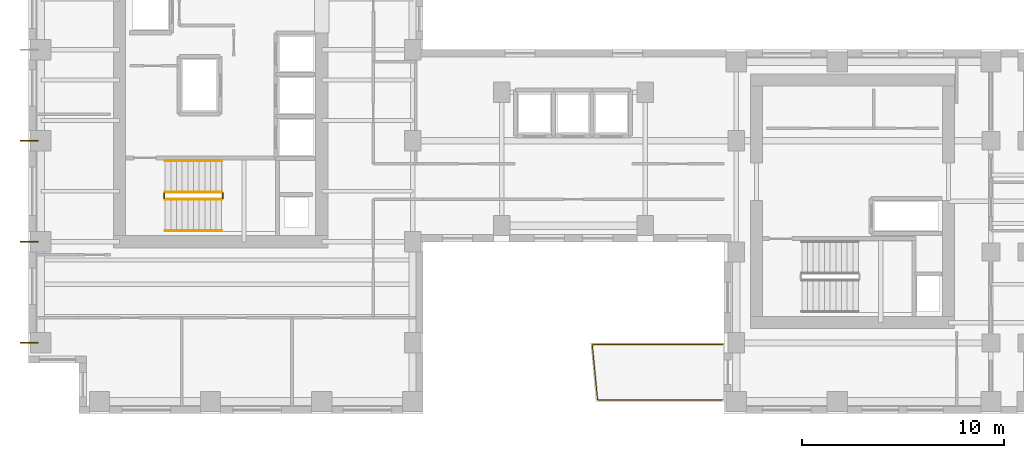
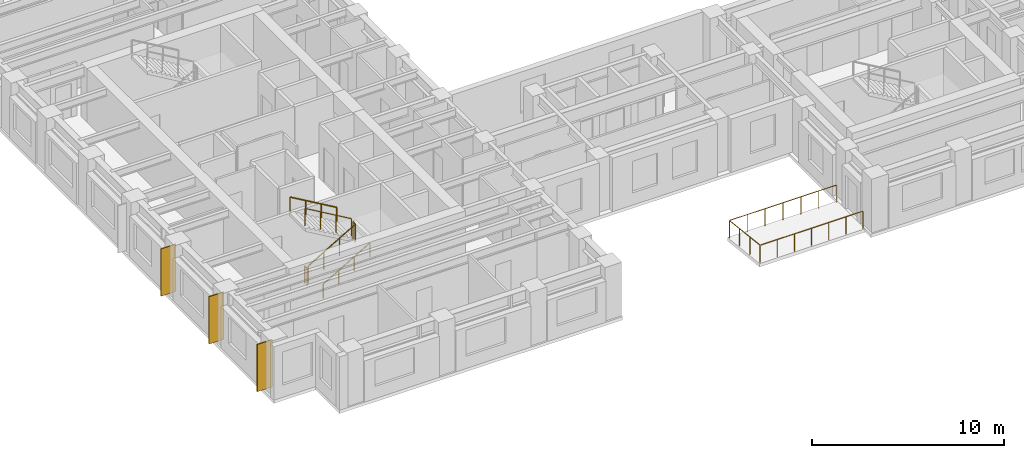
# One storey, part 10 of 12: 7 railings, 3 coverings.
"""IFC4 building model written with IfcOpenShell, lengths in metres."""

from ifc_helpers import new_model, si_unit, direction, frame, origin, origin_2d, place, context, subcontext, project, spatial, rectangle, circle, extrude, source, transform, mapped, material, layer, layer_set, type_object, element, save


model = new_model("IFC4")

# Units and contexts
model_context = context("Model", 3, precision=1e-05, world=origin(), true_north=direction((0.0, 1.0)))
body_context = subcontext(model_context, "Body", "Model", "MODEL_VIEW")
ifc_project = project(units=[si_unit("LENGTHUNIT", "METRE"), si_unit("AREAUNIT", "SQUARE_METRE"), si_unit("VOLUMEUNIT", "CUBIC_METRE"), si_unit("PLANEANGLEUNIT", "RADIAN"), si_unit("MASSUNIT", "GRAM", prefix="KILO")], contexts=[model_context])

# Site, building, storey
site_placement = place(None, origin())
site = spatial("IfcSite", under=ifc_project, at=site_placement, CompositionType="ELEMENT")
building_placement = place(site_placement, origin())
building = spatial("IfcBuilding", under=site, at=building_placement, Name="Kharzan Plaza Tower", CompositionType="ELEMENT")
storey_placement = place(building_placement, frame((0.0, 0.0, 164.699951171875)))
storey = spatial("IfcBuildingStorey", under=building, at=storey_placement, Name="L44", CompositionType="ELEMENT", Elevation=164.699951171875)

# Railings
ifc_material_1 = material(Name="Painted Galvanized Architectural Steel", Category="steel")
ifc_layer_1 = layer(ifc_material_1, 0.074951171875)
ifc_layer_set_1 = layer_set([ifc_layer_1], Name="Painted Galvanized Architectural Steel")
railing_type_1 = type_object("IfcRailingType", Name="RL-GUARD-1120", PredefinedType="BALUSTRADE", material=ifc_layer_set_1)
shared_shape_1 = source(origin(), body_context, "Body", "SweptSolid", [
    extrude(circle(Radius=0.02392578125, at=origin_2d()), frame((0.0, 0.0263671875, 1.09619140625), z_axis=(0.0, 1.0, 0.0), x_axis=(-1.0, 0.0, 0.0)), (0.0, 0.0, 1.0), 0.197021484375),
    extrude(circle(Radius=0.02099609375, at=origin_2d()), origin(), (0.0, 0.0, 1.0), 1.072021484375),
    extrude(circle(Radius=0.02099609375, at=origin_2d()), frame((0.0, 0.25, 0.0)), (0.0, 0.0, 1.0), 1.072021484375),
])
for number, where, name in (
    (1, (9.60009765625, 10.64990234375, 1.800048828125), "L44 ST-1 stair guard 2"),
    (2, (6.699951171875, 10.64990234375, 0.0), "L44 ST-1 stair guard 4"),
):
    element("IfcRailing", number, at=place(storey_placement, frame(where)), inside=storey, type_object=railing_type_1, Name=name, PredefinedType="BALUSTRADE", context=body_context, shape_type="MappedRepresentation", body=[
        mapped(shared_shape_1, transform((0.0, 0.0, 0.0), x_axis=(1.0, 0.0, 0.0), y_axis=(0.0, 1.0, 0.0), z_axis=(0.0, 0.0, 1.0))),
    ])

# Coverings
ifc_material_2 = material(Name="Honed Riyadh Limestone", Category="masonry")
ifc_layer_2 = layer(ifc_material_2, 0.06005859375)
ifc_layer_set_2 = layer_set([ifc_layer_2], Name="Honed Riyadh Limestone")
covering_type = type_object("IfcCoveringType", Name="COV-CLAD-STONE", PredefinedType="CLADDING", material=ifc_layer_set_2)
shared_shape_2 = source(origin(), body_context, "Body", "SweptSolid", [
    extrude(rectangle(XDim=0.06005859375, YDim=0.89990234375, at=origin_2d()), origin(), (0.0, 0.0, 1.0), 3.0),
])
for number, where, z_axis, x_axis, name in (
    (3, (0.02001953125, 13.5, 0.10009765625), (0.0, 0.0, 1.0), (0.0, 1.0, 0.0), "L44 Limestone Pier Rainscreen Cladding TCW-135"),
    (4, (0.02001953125, 3.5, 0.10009765625), (0.0, 0.0, 1.0), (0.0, 1.0, 0.0), "L44 Limestone Pier Rainscreen Cladding TCW-35"),
    (5, (0.02001953125, 8.5, 0.10009765625), (0.0, 0.0, 1.0), (0.0, 1.0, 0.0), "L44 Limestone Pier Rainscreen Cladding TCW-85"),
):
    element("IfcCovering", number, at=place(storey_placement, frame(where, z_axis=z_axis, x_axis=x_axis)), inside=storey, type_object=covering_type, Name=name, PredefinedType="CLADDING", context=body_context, shape_type="MappedRepresentation", body=[
        mapped(shared_shape_2, transform((0.0, 0.0, 0.0), x_axis=(1.0, 0.0, 0.0), y_axis=(0.0, 1.0, 0.0), z_axis=(0.0, 0.0, 1.0))),
    ])

# Railings
shared_shape_3 = source(origin(), body_context, "Body", "SweptSolid", [
    extrude(circle(Radius=0.02392578125, at=origin_2d()), frame((0.02294921875, 0.0, 1.109375), z_axis=(0.863360870873, 0.0, 0.504586966384), x_axis=(0.0, 1.0, 0.0)), (0.0, 0.0, 1.0), 3.190185546875),
    extrude(circle(Radius=0.02099609375, at=origin_2d()), origin(), (0.0, 0.0, 1.0), 1.072021484375),
    extrude(circle(Radius=0.02099609375, at=origin_2d()), frame((0.933349609375, 0.0, 0.54541015625)), (0.0, 0.0, 1.0), 1.072021484375),
    extrude(circle(Radius=0.02099609375, at=origin_2d()), frame((1.86669921875, 0.0, 1.091064453125)), (0.0, 0.0, 1.0), 1.072021484375),
    extrude(circle(Radius=0.02099609375, at=origin_2d()), frame((2.800048828125, 0.0, 1.636474609375)), (0.0, 0.0, 1.0), 1.072021484375),
])
railing_1_placement = place(storey_placement, frame((6.75, 10.60009765625, 0.16357421875)))
element("IfcRailing", 6, at=railing_1_placement, inside=storey, type_object=railing_type_1, Name="L44 ST-1 stair guard 1", PredefinedType="BALUSTRADE", context=body_context, shape_type="MappedRepresentation", body=[
    mapped(shared_shape_3, transform((0.0, 0.0, 0.0), x_axis=(1.0, 0.0, 0.0), y_axis=(0.0, 1.0, 0.0), z_axis=(0.0, 0.0, 1.0))),
])
shared_shape_4 = source(origin(), body_context, "Body", "SweptSolid", [
    extrude(circle(Radius=0.02392578125, at=origin_2d()), frame((-0.02294921875, 0.0, 1.109375), z_axis=(-0.863360870873, 0.0, 0.504586966384), x_axis=(0.0, -1.0, 0.0)), (0.0, 0.0, 1.0), 3.190185546875),
    extrude(circle(Radius=0.02099609375, at=origin_2d()), origin(), (0.0, 0.0, 1.0), 1.072021484375),
    extrude(circle(Radius=0.02099609375, at=origin_2d()), frame((-0.933349609375, 0.0, 0.54541015625)), (0.0, 0.0, 1.0), 1.072021484375),
    extrude(circle(Radius=0.02099609375, at=origin_2d()), frame((-1.86669921875, 0.0, 1.091064453125)), (0.0, 0.0, 1.0), 1.072021484375),
    extrude(circle(Radius=0.02099609375, at=origin_2d()), frame((-2.800048828125, 0.0, 1.636474609375)), (0.0, 0.0, 1.0), 1.072021484375),
])
railing_2_placement = place(storey_placement, frame((9.550048828125, 10.949951171875, 1.963623046875)))
element("IfcRailing", 7, at=railing_2_placement, inside=storey, type_object=railing_type_1, Name="L44 ST-1 stair guard 3", PredefinedType="BALUSTRADE", context=body_context, shape_type="MappedRepresentation", body=[
    mapped(shared_shape_4, transform((0.0, 0.0, 0.0), x_axis=(1.0, 0.0, 0.0), y_axis=(0.0, 1.0, 0.0), z_axis=(0.0, 0.0, 1.0))),
])
ifc_material_3 = material(Name="Brushed Stainless Steel", Category="steel")
ifc_layer_3 = layer(ifc_material_3, 0.050048828125)
ifc_layer_set_3 = layer_set([ifc_layer_3], Name="Brushed Stainless Steel")
railing_type_2 = type_object("IfcRailingType", Name="RL-STAIR-HR920", PredefinedType="HANDRAIL", material=ifc_layer_set_3)
shared_shape_5 = source(origin(), body_context, "Body", "SweptSolid", [
    extrude(circle(Radius=0.02392578125, at=origin_2d()), frame((0.02294921875, 0.0, 0.88916015625), z_axis=(0.863360870873, 0.0, 0.504586966384), x_axis=(0.0, 1.0, 0.0)), (0.0, 0.0, 1.0), 3.190185546875),
    extrude(circle(Radius=0.02099609375, at=origin_2d()), origin(), (0.0, 0.0, 1.0), 0.851806640625),
    extrude(circle(Radius=0.02099609375, at=origin_2d()), frame((0.933349609375, 0.0, 0.54541015625)), (0.0, 0.0, 1.0), 0.851806640625),
    extrude(circle(Radius=0.02099609375, at=origin_2d()), frame((1.86669921875, 0.0, 1.091064453125)), (0.0, 0.0, 1.0), 0.851806640625),
    extrude(circle(Radius=0.02099609375, at=origin_2d()), frame((2.800048828125, 0.0, 1.636474609375)), (0.0, 0.0, 1.0), 0.851806640625),
])
railing_3_placement = place(storey_placement, frame((6.75, 9.050048828125, 0.16357421875)))
element("IfcRailing", 8, at=railing_3_placement, inside=storey, type_object=railing_type_2, Name="L44 ST-1 stair handrail 1", PredefinedType="HANDRAIL", context=body_context, shape_type="MappedRepresentation", body=[
    mapped(shared_shape_5, transform((0.0, 0.0, 0.0), x_axis=(1.0, 0.0, 0.0), y_axis=(0.0, 1.0, 0.0), z_axis=(0.0, 0.0, 1.0))),
])
shared_shape_6 = source(origin(), body_context, "Body", "SweptSolid", [
    extrude(circle(Radius=0.02392578125, at=origin_2d()), frame((-0.02294921875, 0.0, 0.88916015625), z_axis=(-0.863360870873, 0.0, 0.504586966384), x_axis=(0.0, -1.0, 0.0)), (0.0, 0.0, 1.0), 3.190185546875),
    extrude(circle(Radius=0.02099609375, at=origin_2d()), origin(), (0.0, 0.0, 1.0), 0.851806640625),
    extrude(circle(Radius=0.02099609375, at=origin_2d()), frame((-0.933349609375, 0.0, 0.54541015625)), (0.0, 0.0, 1.0), 0.851806640625),
    extrude(circle(Radius=0.02099609375, at=origin_2d()), frame((-1.86669921875, 0.0, 1.091064453125)), (0.0, 0.0, 1.0), 0.851806640625),
    extrude(circle(Radius=0.02099609375, at=origin_2d()), frame((-2.800048828125, 0.0, 1.636474609375)), (0.0, 0.0, 1.0), 0.851806640625),
])
railing_4_placement = place(storey_placement, frame((9.550048828125, 12.5, 1.963623046875)))
element("IfcRailing", 9, at=railing_4_placement, inside=storey, type_object=railing_type_2, Name="L44 ST-1 stair handrail 2", PredefinedType="HANDRAIL", context=body_context, shape_type="MappedRepresentation", body=[
    mapped(shared_shape_6, transform((0.0, 0.0, 0.0), x_axis=(1.0, 0.0, 0.0), y_axis=(0.0, 1.0, 0.0), z_axis=(0.0, 0.0, 1.0))),
])
shared_shape_7 = source(origin(), body_context, "Body", "SweptSolid", [
    extrude(circle(Radius=0.02392578125, at=origin_2d()), frame((-0.0263671875, 0.0, 1.09619140625), z_axis=(-1.0, 0.0, 0.0), x_axis=(0.0, -1.0, 0.0)), (0.0, 0.0, 1.0), 6.123046875),
    extrude(circle(Radius=0.02392578125, at=origin_2d()), frame((-6.178466796875, 0.0263671875, 1.09619140625), z_axis=(-0.095964210763, 0.995384785022, 0.0), x_axis=(-0.995384785022, -0.095964210763, 0.0)), (0.0, 0.0, 1.0), 2.69970703125),
    extrude(circle(Radius=0.02392578125, at=origin_2d()), frame((-6.413818359375, 2.739990234375, 1.09619140625), z_axis=(1.0, 0.0, 0.0), x_axis=(0.0, 1.0, 0.0)), (0.0, 0.0, 1.0), 6.38720703125),
    extrude(circle(Radius=0.02099609375, at=origin_2d()), origin(), (0.0, 0.0, 1.0), 1.072021484375),
    extrude(circle(Radius=0.02099609375, at=origin_2d()), frame((-1.029296875, 0.0, 0.0)), (0.0, 0.0, 1.0), 1.072021484375),
    extrude(circle(Radius=0.02099609375, at=origin_2d()), frame((-2.05859375, 0.0, 0.0)), (0.0, 0.0, 1.0), 1.072021484375),
    extrude(circle(Radius=0.02099609375, at=origin_2d()), frame((-3.087890625, 0.0, 0.0)), (0.0, 0.0, 1.0), 1.072021484375),
    extrude(circle(Radius=0.02099609375, at=origin_2d()), frame((-4.117431640625, 0.0, 0.0)), (0.0, 0.0, 1.0), 1.072021484375),
    extrude(circle(Radius=0.02099609375, at=origin_2d()), frame((-5.146728515625, 0.0, 0.0)), (0.0, 0.0, 1.0), 1.072021484375),
    extrude(circle(Radius=0.02099609375, at=origin_2d()), frame((-6.176025390625, 0.0, 0.0)), (0.0, 0.0, 1.0), 1.072021484375),
    extrude(circle(Radius=0.02099609375, at=origin_2d()), frame((-6.26416015625, 0.913330078125, 0.0)), (0.0, 0.0, 1.0), 1.072021484375),
    extrude(circle(Radius=0.02099609375, at=origin_2d()), frame((-6.35205078125, 1.82666015625, 0.0)), (0.0, 0.0, 1.0), 1.072021484375),
    extrude(circle(Radius=0.02099609375, at=origin_2d()), frame((-6.440185546875, 2.739990234375, 0.0)), (0.0, 0.0, 1.0), 1.072021484375),
    extrude(circle(Radius=0.02099609375, at=origin_2d()), frame((-5.36669921875, 2.739990234375, 0.0)), (0.0, 0.0, 1.0), 1.072021484375),
    extrude(circle(Radius=0.02099609375, at=origin_2d()), frame((-4.29345703125, 2.739990234375, 0.0)), (0.0, 0.0, 1.0), 1.072021484375),
    extrude(circle(Radius=0.02099609375, at=origin_2d()), frame((-3.22021484375, 2.739990234375, 0.0)), (0.0, 0.0, 1.0), 1.072021484375),
    extrude(circle(Radius=0.02099609375, at=origin_2d()), frame((-2.146728515625, 2.739990234375, 0.0)), (0.0, 0.0, 1.0), 1.072021484375),
    extrude(circle(Radius=0.02099609375, at=origin_2d()), frame((-1.0732421875, 2.739990234375, 0.0)), (0.0, 0.0, 1.0), 1.072021484375),
    extrude(circle(Radius=0.02099609375, at=origin_2d()), frame((0.0, 2.739990234375, 0.0)), (0.0, 0.0, 1.0), 1.072021484375),
])
railing_5_placement = place(storey_placement, frame((34.320068359375, 0.679931640625, 0.0)))
element("IfcRailing", 10, at=railing_5_placement, inside=storey, type_object=railing_type_1, Name="L44 Cantilevered Sky-Terrace Tray Balustrade", PredefinedType="BALUSTRADE", context=body_context, shape_type="MappedRepresentation", body=[
    mapped(shared_shape_7, transform((0.0, 0.0, 0.0), x_axis=(1.0, 0.0, 0.0), y_axis=(0.0, 1.0, 0.0), z_axis=(0.0, 0.0, 1.0))),
])

save(model, "model.ifc")
